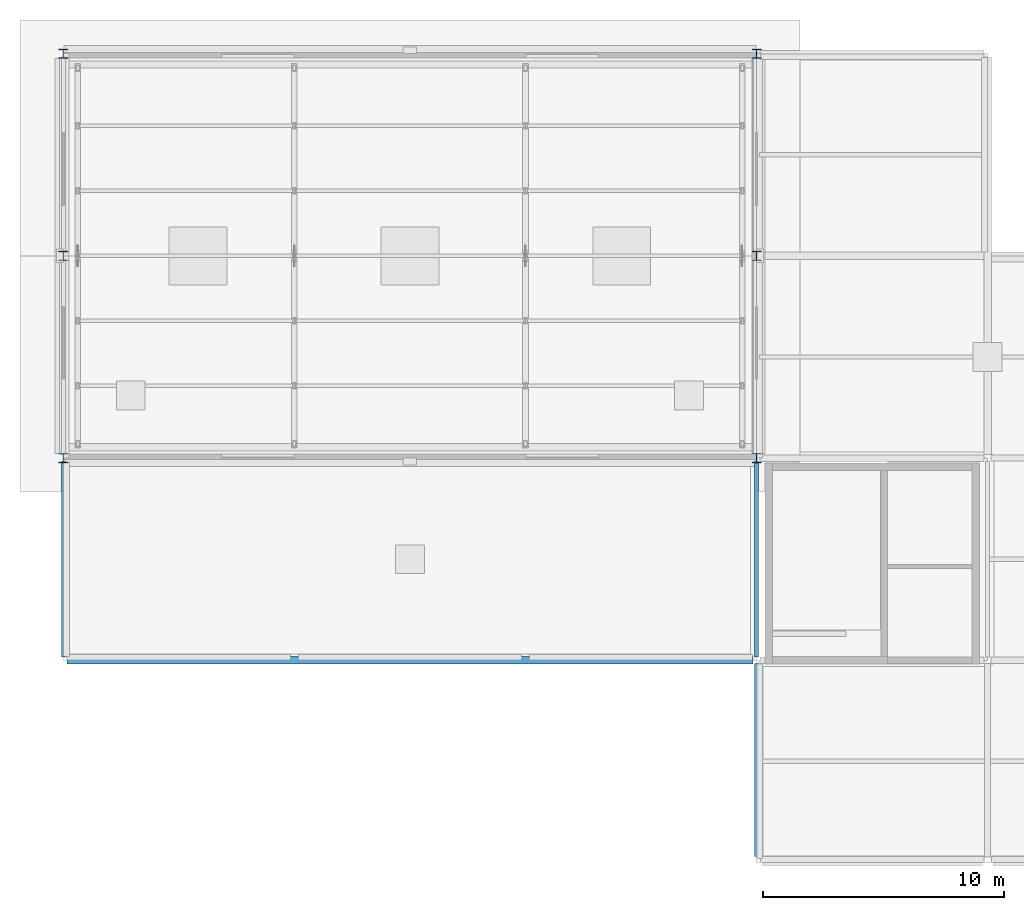
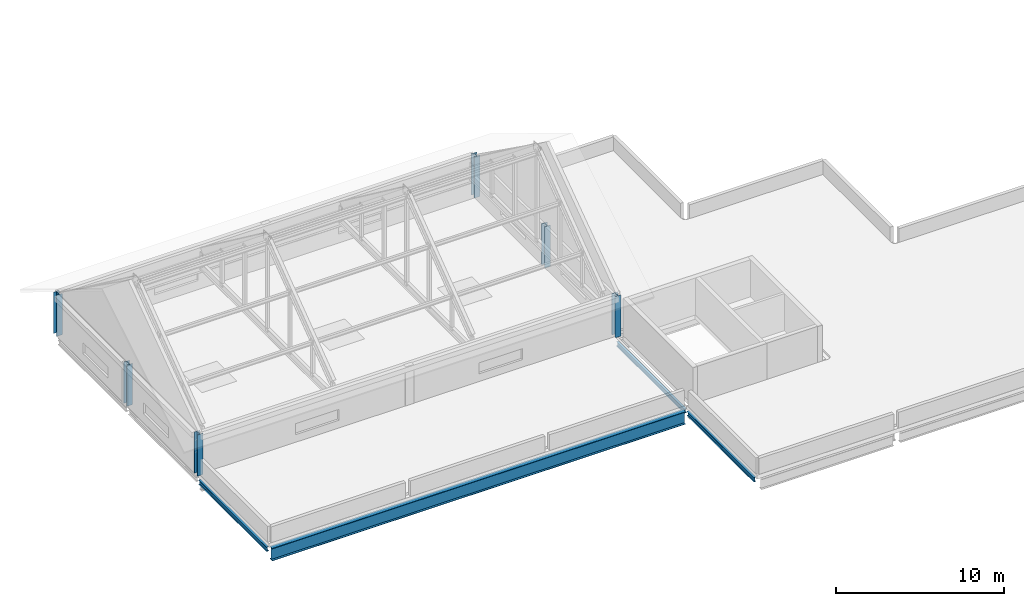
# One storey, part 1 of 10: 6 columns, 4 beams.
"""IFC4 building model written with IfcOpenShell, lengths in metres."""

from ifc_helpers import new_model, si_unit, direction, frame, origin, origin_2d, place, context, subcontext, project, spatial, i_section, extrude, material, material_profile, profile_set, type_object, element, save


model = new_model("IFC4")

# Units and contexts
model_context = context("Model", 3, precision=1e-05, world=origin(), true_north=direction((0.0, 1.0)))
body_context = subcontext(model_context, "Body", "Model", "MODEL_VIEW")
ifc_project = project(units=[si_unit("LENGTHUNIT", "METRE"), si_unit("AREAUNIT", "SQUARE_METRE"), si_unit("VOLUMEUNIT", "CUBIC_METRE"), si_unit("PLANEANGLEUNIT", "RADIAN"), si_unit("MASSUNIT", "GRAM", prefix="KILO")], contexts=[model_context])

# Site, building, storey
site_placement = place(None, origin())
site = spatial("IfcSite", under=ifc_project, at=site_placement, CompositionType="ELEMENT")
building_placement = place(site_placement, origin())
building = spatial("IfcBuilding", under=site, at=building_placement, Name="Lornevale Opera House", CompositionType="ELEMENT")
storey_placement = place(building_placement, frame((0.0, 0.0, 31.199951171875)))
storey = spatial("IfcBuildingStorey", under=building, at=storey_placement, Name="RF", CompositionType="ELEMENT", Elevation=31.199951171875)

# Columns
ifc_material = material(Name="Structural Steel CSA G40.21 Grade 350W (350 MPa)", Category="steel")
ifc_material_profile_1 = material_profile(ifc_material, i_section(OverallWidth=0.39892578125, OverallDepth=0.39892578125, WebThickness=0.02978515625, FlangeThickness=0.0390625, at=origin_2d()), Name="W360x314")
ifc_profile_set_1 = profile_set([ifc_material_profile_1], Name="Structural Steel CSA G40.21 Grade 350W (350 MPa)")
column_type = type_object("IfcColumnType", Name="Steel Stagehouse Column W360x314", PredefinedType="COLUMN", material=ifc_profile_set_1)
for number, where, z_axis, x_axis, name in (
    (1, (67.199951171875, 67.199951171875, 0.0), (0.0, 0.0, 1.0), (1.0, 0.0, 0.0), "Fly Tower Crown Column 1104"),
    (2, (67.199951171875, 75.60009765625, 0.0), (0.0, 0.0, 1.0), (1.0, 0.0, 0.0), "Fly Tower Crown Column 1105"),
    (3, (67.199951171875, 84.0, 0.0), (0.0, 0.0, 1.0), (1.0, 0.0, 0.0), "Fly Tower Crown Column 1106"),
    (4, (96.0, 67.199951171875, 0.0), (0.0, 0.0, 1.0), (1.0, 0.0, 0.0), "Fly Tower Crown Column 1107"),
    (5, (96.0, 75.60009765625, 0.0), (0.0, 0.0, 1.0), (1.0, 0.0, 0.0), "Fly Tower Crown Column 1108"),
    (6, (96.0, 84.0, 0.0), (0.0, 0.0, 1.0), (1.0, 0.0, 0.0), "Fly Tower Crown Column 1109"),
):
    element("IfcColumn", number, at=place(storey_placement, frame(where, z_axis=z_axis, x_axis=x_axis)), inside=storey, type_object=column_type, Name=name, PredefinedType="COLUMN", context=body_context, shape_type="SweptSolid", body=[
        extrude(i_section(OverallWidth=0.39892578125, OverallDepth=0.39892578125, WebThickness=0.02978515625, FlangeThickness=0.0390625, at=origin_2d()), origin(), (0.0, 0.0, 1.0), 3.0),
    ])

# Beams
ifc_material_profile_2 = material_profile(ifc_material, i_section(OverallWidth=0.1669921875, OverallDepth=0.31689453125, WebThickness=0.007568359375, FlangeThickness=0.01318359375, at=origin_2d()), Name="W310x52")
ifc_profile_set_2 = profile_set([ifc_material_profile_2], Name="Structural Steel CSA G40.21 Grade 350W (350 MPa)")
beam_type_1 = type_object("IfcBeamType", Name="Steel Spandrel Beam W310x52", PredefinedType="SPANDREL", material=ifc_profile_set_2)
beam_1_placement = place(storey_placement, frame((67.199951171875, 58.943603515625, -0.493408203125), z_axis=(0.0, 1.0, 0.0), x_axis=(-1.0, 0.0, 0.0)))
element("IfcBeam", 7, at=beam_1_placement, inside=storey, type_object=beam_type_1, Name="Steel Spandrel Beam W310x52 2908", PredefinedType="SPANDREL", context=body_context, shape_type="SweptSolid", body=[
    extrude(i_section(OverallWidth=0.1669921875, OverallDepth=0.31689453125, WebThickness=0.007568359375, FlangeThickness=0.01318359375, at=origin_2d()), origin(), (0.0, 0.0, 1.0), 8.11279296875),
])
beam_2_placement = place(storey_placement, frame((96.0, 50.64990234375, -0.473388671875), z_axis=(0.0, 1.0, 0.0), x_axis=(-1.0, 0.0, 0.0)))
element("IfcBeam", 8, at=beam_2_placement, inside=storey, type_object=beam_type_1, Name="Steel Spandrel Beam W310x52 2911", PredefinedType="SPANDREL", context=body_context, shape_type="SweptSolid", body=[
    extrude(i_section(OverallWidth=0.1669921875, OverallDepth=0.31689453125, WebThickness=0.007568359375, FlangeThickness=0.01318359375, at=origin_2d()), origin(), (0.0, 0.0, 1.0), 8.006591796875),
])
beam_3_placement = place(storey_placement, frame((96.0, 58.943603515625, -0.493408203125), z_axis=(0.0, 1.0, 0.0), x_axis=(-1.0, 0.0, 0.0)))
element("IfcBeam", 9, at=beam_3_placement, inside=storey, type_object=beam_type_1, Name="Steel Spandrel Beam W310x52 2912", PredefinedType="SPANDREL", context=body_context, shape_type="SweptSolid", body=[
    extrude(i_section(OverallWidth=0.1669921875, OverallDepth=0.31689453125, WebThickness=0.007568359375, FlangeThickness=0.01318359375, at=origin_2d()), origin(), (0.0, 0.0, 1.0), 8.11279296875),
])
ifc_material_profile_3 = material_profile(ifc_material, i_section(OverallWidth=0.305908203125, OverallDepth=0.9189453125, WebThickness=0.017333984375, FlangeThickness=0.02783203125, at=origin_2d()), Name="W920x253")
ifc_profile_set_3 = profile_set([ifc_material_profile_3], Name="Structural Steel CSA G40.21 Grade 350W (350 MPa)")
beam_type_2 = type_object("IfcBeamType", Name="Steel Stagehouse Girder W920x253", PredefinedType="USERDEFINED", material=ifc_profile_set_3)
beam_4_placement = place(storey_placement, frame((67.347900390625, 58.800048828125, -0.7744140625), z_axis=(1.0, 0.0, 0.0), x_axis=(0.0, 1.0, 0.0)))
element("IfcBeam", 10, at=beam_4_placement, inside=storey, type_object=beam_type_2, Name="Steel Stagehouse Girder W920x253 2893", ObjectType="GIRDER", PredefinedType="USERDEFINED", context=body_context, shape_type="SweptSolid", body=[
    extrude(i_section(OverallWidth=0.305908203125, OverallDepth=0.9189453125, WebThickness=0.017333984375, FlangeThickness=0.02783203125, at=origin_2d()), origin(), (0.0, 0.0, 1.0), 28.504150390625),
])

save(model, "model.ifc")
